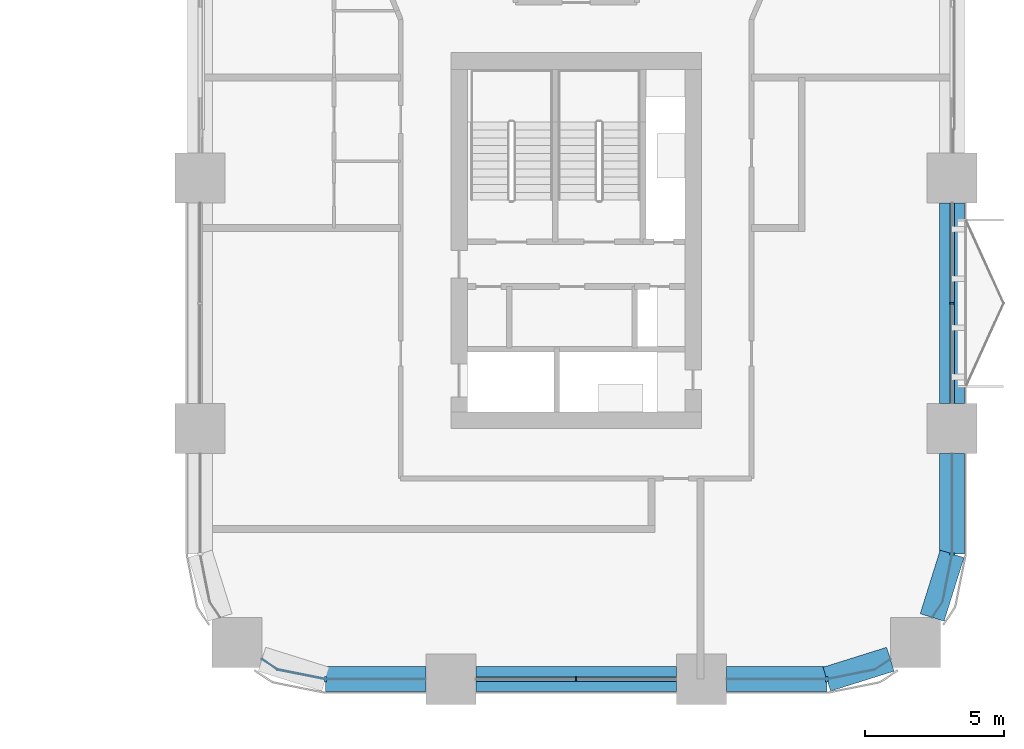
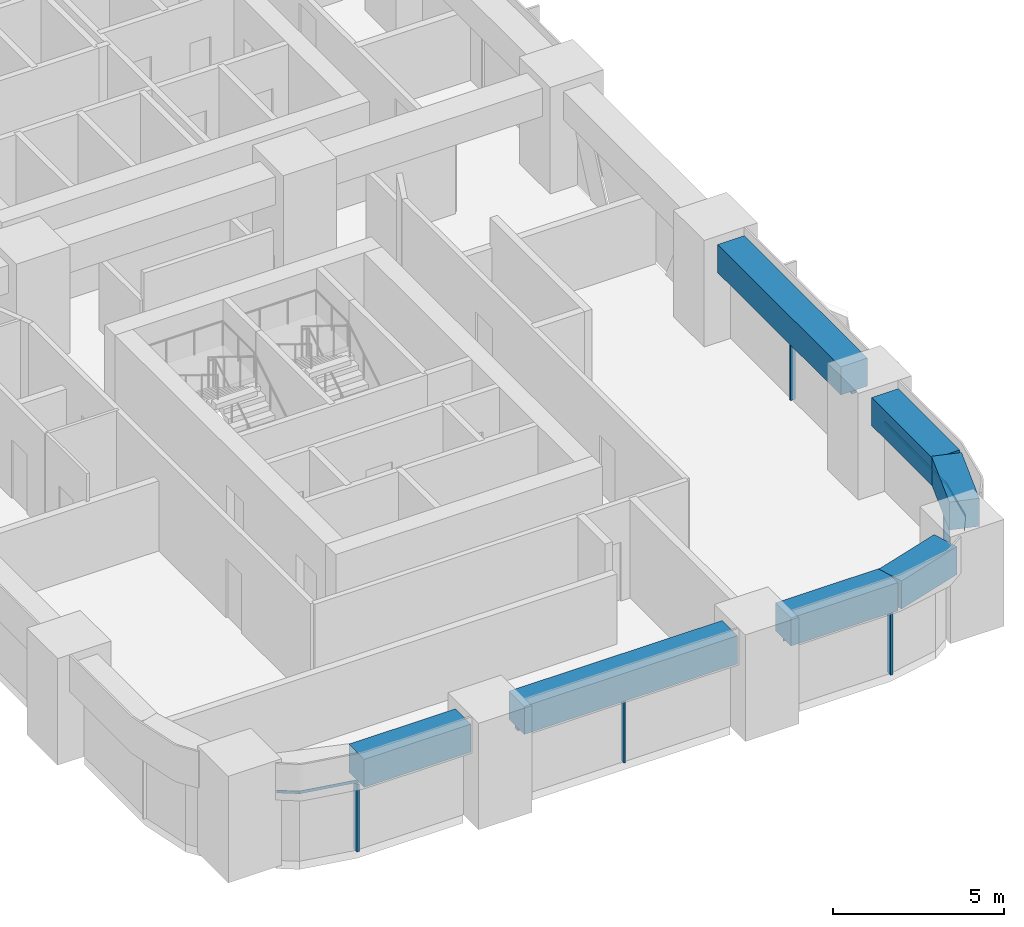
# One storey, part 4 of 18: 10 members, 7 beams, 5 elements without a shape of their own.
"""IFC4 building model written with IfcOpenShell, lengths in metres."""

from ifc_helpers import new_model, si_unit, direction, frame, origin, origin_2d, place, context, subcontext, project, spatial, polyline, rectangle, outline, extrude, material, material_profile, profile_set, type_object, element, aggregate, save


model = new_model("IFC4")

# Units and contexts
model_context = context("Model", 3, precision=1e-05, world=origin(), true_north=direction((0.0, 1.0)))
body_context = subcontext(model_context, "Body", "Model", "MODEL_VIEW")
ifc_project = project(units=[si_unit("LENGTHUNIT", "METRE"), si_unit("AREAUNIT", "SQUARE_METRE"), si_unit("VOLUMEUNIT", "CUBIC_METRE"), si_unit("PLANEANGLEUNIT", "RADIAN"), si_unit("MASSUNIT", "GRAM", prefix="KILO")], contexts=[model_context])

# Site, building, storey
site_placement = place(None, origin())
site = spatial("IfcSite", under=ifc_project, at=site_placement, CompositionType="ELEMENT")
building_placement = place(site_placement, origin())
building = spatial("IfcBuilding", under=site, at=building_placement, Name="Tessera Arch", CompositionType="ELEMENT")
storey_placement = place(building_placement, frame((0.0, 0.0, 89.199951171875)))
storey = spatial("IfcBuildingStorey", under=building, at=storey_placement, Name="L20", CompositionType="ELEMENT", Elevation=89.199951171875)

# Curtain wall, member
ifc_material_1 = material(Name="CW1 curtain wall")
curtain_wall_type_1 = type_object("IfcCurtainWallType", Name="CW1 curtain wall", PredefinedType="NOTDEFINED", material=ifc_material_1)
curtain_wall_1_placement = place(storey_placement, origin())
curtain_wall_1 = element("IfcCurtainWall", 1, at=curtain_wall_1_placement, inside=storey, type_object=curtain_wall_type_1, Name="CW1 curtain wall S0.27/1 L20", PredefinedType="NOTDEFINED")
ifc_material_2 = material(Name="Anodised aluminium pale metal", Category="aluminium")
ifc_material_profile_1 = material_profile(ifc_material_2, rectangle(XDim=0.159912109375, YDim=0.06005859375, at=origin_2d()), Name="AL 60x160")
ifc_profile_set_1 = profile_set([ifc_material_profile_1], Name="Anodised aluminium pale metal")
member_type_1 = type_object("IfcMemberType", Name="CW1 mullion", PredefinedType="MULLION", material=ifc_profile_set_1)
member_1_placement = place(storey_placement, frame((40.5, 0.0, 0.0), z_axis=(0.0, 0.0, 1.0), x_axis=(0.0, 1.0, 0.0)))
member_1 = element("IfcMember", 2, at=member_1_placement, type_object=member_type_1, Name="CW1 mullion S0.27/1 1", PredefinedType="MULLION", context=body_context, shape_type="SweptSolid", body=[
    extrude(rectangle(XDim=0.159912109375, YDim=0.06005859375, at=origin_2d()), origin(), (0.0, 0.0, 1.0), 2.400146484375),
])

curtain_wall_2_placement = place(storey_placement, origin())
curtain_wall_2 = element("IfcCurtainWall", 3, at=curtain_wall_2_placement, inside=storey, type_object=curtain_wall_type_1, Name="CW1 curtain wall E54.0/1 L20", PredefinedType="NOTDEFINED")
member_2_placement = place(storey_placement, frame((54.0, 13.5, 0.0), z_axis=(0.0, 0.0, 1.0), x_axis=(-1.0, 0.0, 0.0)))
member_2 = element("IfcMember", 4, at=member_2_placement, type_object=member_type_1, Name="CW1 mullion E54.0/1 1", PredefinedType="MULLION", context=body_context, shape_type="SweptSolid", body=[
    extrude(rectangle(XDim=0.159912109375, YDim=0.06005859375, at=origin_2d()), origin(), (0.0, 0.0, 1.0), 2.400146484375),
])

# Member
ifc_material_3 = material(Name="Anodised aluminium pale metal", Category="aluminium")
ifc_material_profile_2 = material_profile(ifc_material_3, rectangle(XDim=0.159912109375, YDim=0.10009765625, at=origin_2d()), Name="AL 160x100")
ifc_profile_set_2 = profile_set([ifc_material_profile_2], Name="Anodised aluminium pale metal")
member_type_2 = type_object("IfcMemberType", Name="CW1 transom", PredefinedType="USERDEFINED", material=ifc_profile_set_2)
member_3_placement = place(storey_placement, frame((36.89990234375, 0.0, 2.449951171875), z_axis=(1.0, 0.0, 0.0), x_axis=(0.0, 1.0, 0.0)))
member_3 = element("IfcMember", 5, at=member_3_placement, type_object=member_type_2, Name="CW1 transom S0.27/1 1.1", ObjectType="TRANSOM", PredefinedType="USERDEFINED", context=body_context, shape_type="SweptSolid", body=[
    extrude(rectangle(XDim=0.159912109375, YDim=0.10009765625, at=origin_2d()), origin(), (0.0, 0.0, 1.0), 7.2001953125),
])

aggregate(curtain_wall_1, [member_1, member_3])

member_4_placement = place(storey_placement, frame((54.0, 9.89990234375, 2.449951171875), z_axis=(0.0, 1.0, 0.0), x_axis=(-1.0, 0.0, 0.0)))
member_4 = element("IfcMember", 6, at=member_4_placement, type_object=member_type_2, Name="CW1 transom E54.0/1 1.1", ObjectType="TRANSOM", PredefinedType="USERDEFINED", context=body_context, shape_type="SweptSolid", body=[
    extrude(rectangle(XDim=0.159912109375, YDim=0.10009765625, at=origin_2d()), origin(), (0.0, 0.0, 1.0), 7.2001953125),
])

aggregate(curtain_wall_2, [member_2, member_4])

# Curtain wall, member
ifc_material_4 = material(Name="CW2 curtain wall")
curtain_wall_type_2 = type_object("IfcCurtainWallType", Name="CW2 curtain wall", PredefinedType="NOTDEFINED", material=ifc_material_4)
curtain_wall_3_placement = place(storey_placement, origin())
curtain_wall_3 = element("IfcCurtainWall", 7, at=curtain_wall_3_placement, inside=storey, type_object=curtain_wall_type_2, Name="CW2 curtain wall S0.27/0 L20", PredefinedType="NOTDEFINED")
ifc_material_5 = material(Name="Anodised aluminium pale metal", Category="aluminium")
ifc_material_profile_3 = material_profile(ifc_material_5, rectangle(XDim=0.199951171875, YDim=0.080078125, at=origin_2d()), Name="AL 80x200")
ifc_profile_set_3 = profile_set([ifc_material_profile_3], Name="Anodised aluminium pale metal")
member_type_3 = type_object("IfcMemberType", Name="CW2 mullion", PredefinedType="MULLION", material=ifc_profile_set_3)
member_5_placement = place(storey_placement, frame((31.5, 0.0, 0.0), z_axis=(0.0, 0.0, 1.0), x_axis=(0.0, 1.0, 0.0)))
member_5 = element("IfcMember", 8, at=member_5_placement, type_object=member_type_3, Name="CW2 mullion S0.27/0 1", PredefinedType="MULLION", context=body_context, shape_type="SweptSolid", body=[
    extrude(rectangle(XDim=0.199951171875, YDim=0.080078125, at=origin_2d()), origin(), (0.0, 0.0, 1.0), 2.400146484375),
])

curtain_wall_4_placement = place(storey_placement, origin())
curtain_wall_4 = element("IfcCurtainWall", 9, at=curtain_wall_4_placement, inside=storey, type_object=curtain_wall_type_2, Name="CW2 curtain wall S0.27/2 L20", PredefinedType="NOTDEFINED")
member_6_placement = place(storey_placement, frame((49.5, 0.0, 0.0), z_axis=(0.0, 0.0, 1.0), x_axis=(0.0, 1.0, 0.0)))
member_6 = element("IfcMember", 10, at=member_6_placement, type_object=member_type_3, Name="CW2 mullion S0.27/2 1", PredefinedType="MULLION", context=body_context, shape_type="SweptSolid", body=[
    extrude(rectangle(XDim=0.199951171875, YDim=0.080078125, at=origin_2d()), origin(), (0.0, 0.0, 1.0), 2.400146484375),
])

curtain_wall_5_placement = place(storey_placement, origin())
curtain_wall_5 = element("IfcCurtainWall", 11, at=curtain_wall_5_placement, inside=storey, type_object=curtain_wall_type_2, Name="CW2 curtain wall E54.0/0 L20", PredefinedType="NOTDEFINED")
member_7_placement = place(storey_placement, frame((54.0, 4.5, 0.0), z_axis=(0.0, 0.0, 1.0), x_axis=(-1.0, 0.0, 0.0)))
member_7 = element("IfcMember", 12, at=member_7_placement, type_object=member_type_3, Name="CW2 mullion E54.0/0 1", PredefinedType="MULLION", context=body_context, shape_type="SweptSolid", body=[
    extrude(rectangle(XDim=0.199951171875, YDim=0.080078125, at=origin_2d()), origin(), (0.0, 0.0, 1.0), 2.400146484375),
])

# Member
ifc_material_6 = material(Name="Anodised aluminium pale metal", Category="aluminium")
ifc_material_profile_4 = material_profile(ifc_material_6, rectangle(XDim=0.199951171875, YDim=0.10009765625, at=origin_2d()), Name="AL 200x100")
ifc_profile_set_4 = profile_set([ifc_material_profile_4], Name="Anodised aluminium pale metal")
member_type_4 = type_object("IfcMemberType", Name="CW2 transom", PredefinedType="USERDEFINED", material=ifc_profile_set_4)
member_8_placement = place(storey_placement, frame((0.0, 0.0, 2.400146484375)))
member_8 = element("IfcMember", 13, at=member_8_placement, type_object=member_type_4, Name="CW2 transom S0.27/0 1", ObjectType="TRANSOM", PredefinedType="USERDEFINED", context=body_context, shape_type="SweptSolid", body=[
    extrude(outline(polyline([(29.78173828125, 0.351806640625), (29.2236328125, 0.72509765625), (29.21240234375, 0.70849609375), (29.77392578125, 0.3330078125), (31.4990234375, -0.010009765625), (35.10009765625, -0.010009765625), (35.10009765625, 0.010009765625), (31.5009765625, 0.010009765625), (29.78173828125, 0.351806640625)])), origin(), (0.0, 0.0, 1.0), 0.099853515625),
])

aggregate(curtain_wall_3, [member_5, member_8])

member_9_placement = place(storey_placement, frame((0.0, 0.0, 2.400146484375)))
member_9 = element("IfcMember", 14, at=member_9_placement, type_object=member_type_4, Name="CW2 transom S0.27/2 1", ObjectType="TRANSOM", PredefinedType="USERDEFINED", context=body_context, shape_type="SweptSolid", body=[
    extrude(outline(polyline([(49.4990234375, 0.010009765625), (45.89990234375, 0.010009765625), (45.89990234375, -0.010009765625), (49.5009765625, -0.010009765625), (51.22607421875, 0.3330078125), (51.78759765625, 0.70849609375), (51.7763671875, 0.72509765625), (51.21826171875, 0.351806640625), (49.4990234375, 0.010009765625)])), origin(), (0.0, 0.0, 1.0), 0.099853515625),
])

aggregate(curtain_wall_4, [member_6, member_9])

member_10_placement = place(storey_placement, frame((0.0, 0.0, 2.400146484375)))
member_10 = element("IfcMember", 15, at=member_10_placement, type_object=member_type_4, Name="CW2 transom E54.0/0 1", ObjectType="TRANSOM", PredefinedType="USERDEFINED", context=body_context, shape_type="SweptSolid", body=[
    extrude(outline(polyline([(53.648193359375, 2.78173828125), (53.27490234375, 2.2236328125), (53.29150390625, 2.21240234375), (53.6669921875, 2.77392578125), (54.010009765625, 4.4990234375), (54.010009765625, 8.10009765625), (53.989990234375, 8.10009765625), (53.989990234375, 4.5009765625), (53.648193359375, 2.78173828125)])), origin(), (0.0, 0.0, 1.0), 0.099853515625),
])

aggregate(curtain_wall_5, [member_7, member_10])

# Beams
ifc_material_7 = material(Name="Concrete C80/95", Category="concrete")
ifc_material_profile_5 = material_profile(ifc_material_7, rectangle(XDim=0.89990234375, YDim=1.0, at=origin_2d()), Name="RC spandrel beam 900 x 1000 Concrete C80/95")
ifc_profile_set_5 = profile_set([ifc_material_profile_5], Name="Concrete C80/95")
beam_type = type_object("IfcBeamType", Name="RC spandrel beam 900 x 1000 Concrete C80/95", PredefinedType="BEAM", material=ifc_profile_set_5)
beam_1_placement = place(storey_placement, frame((31.5, 0.0, 3.0), z_axis=(1.0, 0.0, 0.0), x_axis=(0.0, 1.0, 0.0)))
element("IfcBeam", 16, at=beam_1_placement, inside=storey, type_object=beam_type, Name="Spandrel beam L20 S0.27/0.2", PredefinedType="BEAM", context=body_context, shape_type="SweptSolid", body=[
    extrude(rectangle(XDim=0.89990234375, YDim=1.0, at=origin_2d()), origin(), (0.0, 0.0, 1.0), 3.60009765625),
])
beam_2_placement = place(storey_placement, frame((36.89990234375, 0.0, 3.0), z_axis=(1.0, 0.0, 0.0), x_axis=(0.0, 1.0, 0.0)))
element("IfcBeam", 17, at=beam_2_placement, inside=storey, type_object=beam_type, Name="Spandrel beam L20 S0.27/1", PredefinedType="BEAM", context=body_context, shape_type="SweptSolid", body=[
    extrude(rectangle(XDim=0.89990234375, YDim=1.0, at=origin_2d()), origin(), (0.0, 0.0, 1.0), 7.2001953125),
])
beam_3_placement = place(storey_placement, frame((45.89990234375, 0.0, 3.0), z_axis=(1.0, 0.0, 0.0), x_axis=(0.0, 1.0, 0.0)))
element("IfcBeam", 18, at=beam_3_placement, inside=storey, type_object=beam_type, Name="Spandrel beam L20 S0.27/2.1", PredefinedType="BEAM", context=body_context, shape_type="SweptSolid", body=[
    extrude(rectangle(XDim=0.89990234375, YDim=1.0, at=origin_2d()), origin(), (0.0, 0.0, 1.0), 3.60009765625),
])
for number, where, z_axis, x_axis, name in (
    (19, (49.5, 0.0, 3.0), (0.954041251279, 0.299675309057, 0.0), (-0.299675309057, 0.954041251279, 0.0), "Spandrel beam L20 S0.27/2.2"),
    (20, (53.283203125, 2.218017578125, 3.0), (0.299675309057, 0.954041251279, 0.0), (-0.954041251279, 0.299675309057, 0.0), "Spandrel beam L20 E54.0/0.1"),
):
    element("IfcBeam", number, at=place(storey_placement, frame(where, z_axis=z_axis, x_axis=x_axis)), inside=storey, type_object=beam_type, Name=name, PredefinedType="BEAM", context=body_context, shape_type="SweptSolid", body=[
        extrude(rectangle(XDim=0.89990234375, YDim=1.0, at=origin_2d()), origin(), (0.0, 0.0, 1.0), 2.391845703125),
    ])
beam_4_placement = place(storey_placement, frame((54.0, 4.5, 3.0), z_axis=(0.0, 1.0, 0.0), x_axis=(-1.0, 0.0, 0.0)))
element("IfcBeam", 21, at=beam_4_placement, inside=storey, type_object=beam_type, Name="Spandrel beam L20 E54.0/0.2", PredefinedType="BEAM", context=body_context, shape_type="SweptSolid", body=[
    extrude(rectangle(XDim=0.89990234375, YDim=1.0, at=origin_2d()), origin(), (0.0, 0.0, 1.0), 3.60009765625),
])
beam_5_placement = place(storey_placement, frame((54.0, 9.89990234375, 3.0), z_axis=(0.0, 1.0, 0.0), x_axis=(-1.0, 0.0, 0.0)))
element("IfcBeam", 22, at=beam_5_placement, inside=storey, type_object=beam_type, Name="Spandrel beam L20 E54.0/1", PredefinedType="BEAM", context=body_context, shape_type="SweptSolid", body=[
    extrude(rectangle(XDim=0.89990234375, YDim=1.0, at=origin_2d()), origin(), (0.0, 0.0, 1.0), 7.2001953125),
])

save(model, "model.ifc")
